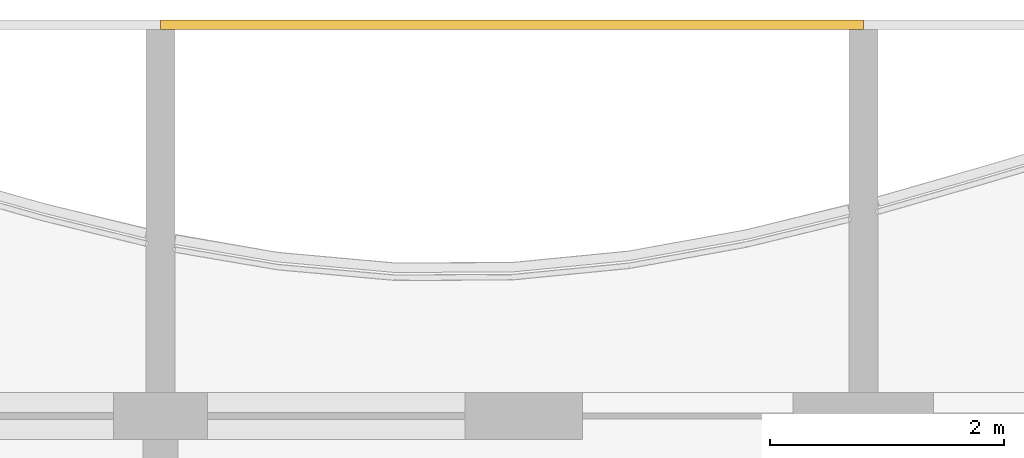
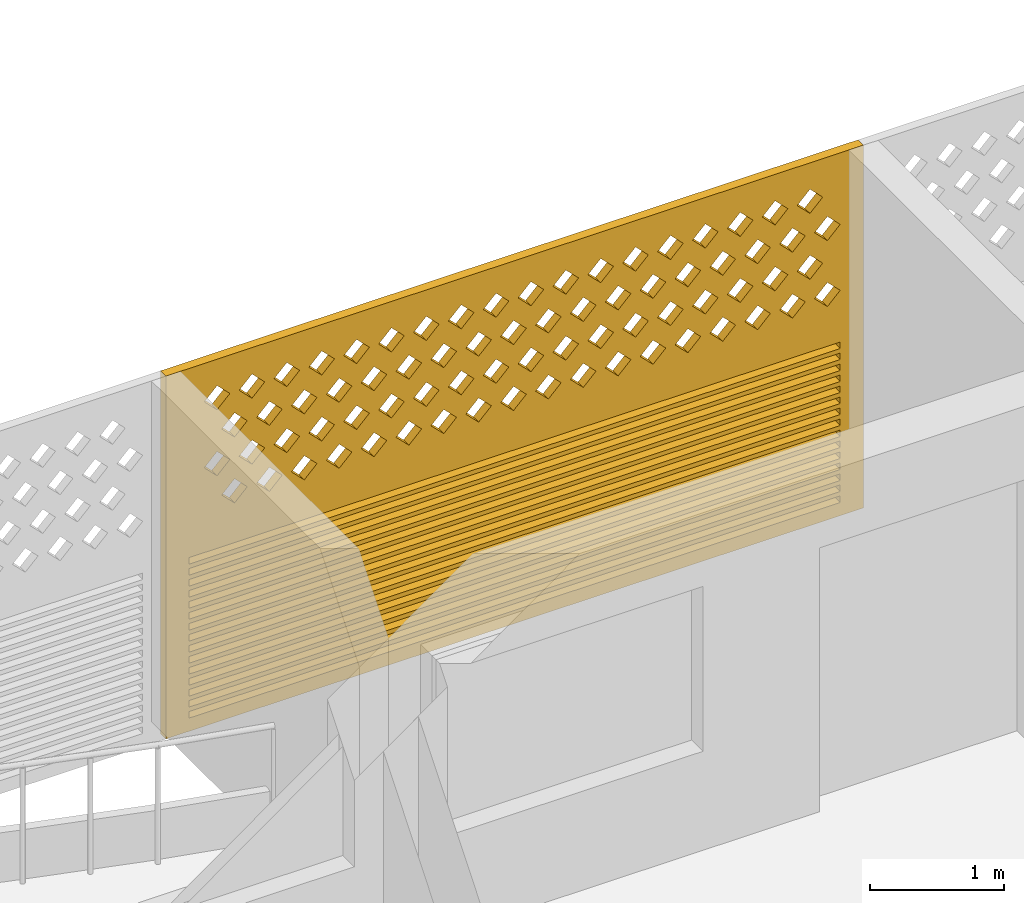
# One storey, part 23 of 33: 1 covering.
"""IFC4 building model written with IfcOpenShell, lengths in metres."""

from ifc_helpers import new_model, si_unit, direction, frame, origin, place, context, subcontext, project, spatial, polyline, outline, extrude, source, transform, mapped, material, material_profile, profile_set, type_object, element, save


model = new_model("IFC4")

# Units and contexts
model_context = context("Model", 3, precision=1e-05, world=origin(), true_north=direction((0.0, 1.0)))
body_context = subcontext(model_context, "Body", "Model", "MODEL_VIEW")
ifc_project = project(units=[si_unit("LENGTHUNIT", "METRE"), si_unit("AREAUNIT", "SQUARE_METRE"), si_unit("VOLUMEUNIT", "CUBIC_METRE"), si_unit("PLANEANGLEUNIT", "RADIAN"), si_unit("MASSUNIT", "GRAM", prefix="KILO")], contexts=[model_context])

# Site, building, storey
site_placement = place(None, origin())
site = spatial("IfcSite", under=ifc_project, at=site_placement, CompositionType="ELEMENT")
building_placement = place(site_placement, origin())
building = spatial("IfcBuilding", under=site, at=building_placement, Name="Poui Terraces", CompositionType="ELEMENT")
storey_placement = place(building_placement, frame((0.0, 0.0, 135.60009765625)))
storey = spatial("IfcBuildingStorey", under=building, at=storey_placement, Name="L37", CompositionType="ELEMENT", Elevation=135.60009765625)

# Covering
ifc_material = material(Name="Terracotta screen", Category="masonry")
ifc_material_profile = material_profile(ifc_material, outline(polyline([(-3.0, -1.64990234375), (3.0, -1.64990234375), (3.0, 1.64990234375), (-3.0, 1.64990234375), (-3.0, -1.64990234375)]), holes=[polyline([(-2.800048828125, 0.39990234375), (-2.68994140625, 0.2900390625), (-2.580078125, 0.39990234375), (-2.68994140625, 0.510009765625), (-2.800048828125, 0.39990234375)]), polyline([(-2.5, 0.39990234375), (-2.389892578125, 0.2900390625), (-2.280029296875, 0.39990234375), (-2.389892578125, 0.510009765625), (-2.5, 0.39990234375)]), polyline([(-2.199951171875, 0.39990234375), (-2.090087890625, 0.2900390625), (-1.97998046875, 0.39990234375), (-2.090087890625, 0.510009765625), (-2.199951171875, 0.39990234375)]), polyline([(-1.89990234375, 0.39990234375), (-1.7900390625, 0.2900390625), (-1.679931640625, 0.39990234375), (-1.7900390625, 0.510009765625), (-1.89990234375, 0.39990234375)]), polyline([(-1.60009765625, 0.39990234375), (-1.489990234375, 0.2900390625), (-1.3798828125, 0.39990234375), (-1.489990234375, 0.510009765625), (-1.60009765625, 0.39990234375)]), polyline([(-1.300048828125, 0.39990234375), (-1.18994140625, 0.2900390625), (-1.080078125, 0.39990234375), (-1.18994140625, 0.510009765625), (-1.300048828125, 0.39990234375)]), polyline([(-1.0, 0.39990234375), (-0.889892578125, 0.2900390625), (-0.780029296875, 0.39990234375), (-0.889892578125, 0.510009765625), (-1.0, 0.39990234375)]), polyline([(-0.699951171875, 0.39990234375), (-0.590087890625, 0.2900390625), (-0.47998046875, 0.39990234375), (-0.590087890625, 0.510009765625), (-0.699951171875, 0.39990234375)]), polyline([(-0.39990234375, 0.39990234375), (-0.2900390625, 0.2900390625), (-0.179931640625, 0.39990234375), (-0.2900390625, 0.510009765625), (-0.39990234375, 0.39990234375)]), polyline([(-0.10009765625, 0.39990234375), (0.010009765625, 0.2900390625), (0.1201171875, 0.39990234375), (0.010009765625, 0.510009765625), (-0.10009765625, 0.39990234375)]), polyline([(0.199951171875, 0.39990234375), (0.31005859375, 0.2900390625), (0.419921875, 0.39990234375), (0.31005859375, 0.510009765625), (0.199951171875, 0.39990234375)]), polyline([(0.5, 0.39990234375), (0.610107421875, 0.2900390625), (0.719970703125, 0.39990234375), (0.610107421875, 0.510009765625), (0.5, 0.39990234375)]), polyline([(0.800048828125, 0.39990234375), (0.909912109375, 0.2900390625), (1.02001953125, 0.39990234375), (0.909912109375, 0.510009765625), (0.800048828125, 0.39990234375)]), polyline([(1.10009765625, 0.39990234375), (1.2099609375, 0.2900390625), (1.320068359375, 0.39990234375), (1.2099609375, 0.510009765625), (1.10009765625, 0.39990234375)]), polyline([(1.39990234375, 0.39990234375), (1.510009765625, 0.2900390625), (1.6201171875, 0.39990234375), (1.510009765625, 0.510009765625), (1.39990234375, 0.39990234375)]), polyline([(1.699951171875, 0.39990234375), (1.81005859375, 0.2900390625), (1.919921875, 0.39990234375), (1.81005859375, 0.510009765625), (1.699951171875, 0.39990234375)]), polyline([(2.0, 0.39990234375), (2.110107421875, 0.2900390625), (2.219970703125, 0.39990234375), (2.110107421875, 0.510009765625), (2.0, 0.39990234375)]), polyline([(2.300048828125, 0.39990234375), (2.409912109375, 0.2900390625), (2.52001953125, 0.39990234375), (2.409912109375, 0.510009765625), (2.300048828125, 0.39990234375)]), polyline([(-2.64990234375, 0.699951171875), (-2.5400390625, 0.590087890625), (-2.429931640625, 0.699951171875), (-2.5400390625, 0.81005859375), (-2.64990234375, 0.699951171875)]), polyline([(-2.35009765625, 0.699951171875), (-2.239990234375, 0.590087890625), (-2.1298828125, 0.699951171875), (-2.239990234375, 0.81005859375), (-2.35009765625, 0.699951171875)]), polyline([(-2.050048828125, 0.699951171875), (-1.93994140625, 0.590087890625), (-1.830078125, 0.699951171875), (-1.93994140625, 0.81005859375), (-2.050048828125, 0.699951171875)]), polyline([(-1.75, 0.699951171875), (-1.639892578125, 0.590087890625), (-1.530029296875, 0.699951171875), (-1.639892578125, 0.81005859375), (-1.75, 0.699951171875)]), polyline([(-1.449951171875, 0.699951171875), (-1.340087890625, 0.590087890625), (-1.22998046875, 0.699951171875), (-1.340087890625, 0.81005859375), (-1.449951171875, 0.699951171875)]), polyline([(-1.14990234375, 0.699951171875), (-1.0400390625, 0.590087890625), (-0.929931640625, 0.699951171875), (-1.0400390625, 0.81005859375), (-1.14990234375, 0.699951171875)]), polyline([(-0.85009765625, 0.699951171875), (-0.739990234375, 0.590087890625), (-0.6298828125, 0.699951171875), (-0.739990234375, 0.81005859375), (-0.85009765625, 0.699951171875)]), polyline([(-0.550048828125, 0.699951171875), (-0.43994140625, 0.590087890625), (-0.330078125, 0.699951171875), (-0.43994140625, 0.81005859375), (-0.550048828125, 0.699951171875)]), polyline([(-0.25, 0.699951171875), (-0.139892578125, 0.590087890625), (-0.030029296875, 0.699951171875), (-0.139892578125, 0.81005859375), (-0.25, 0.699951171875)]), polyline([(0.050048828125, 0.699951171875), (0.159912109375, 0.590087890625), (0.27001953125, 0.699951171875), (0.159912109375, 0.81005859375), (0.050048828125, 0.699951171875)]), polyline([(0.35009765625, 0.699951171875), (0.4599609375, 0.590087890625), (0.570068359375, 0.699951171875), (0.4599609375, 0.81005859375), (0.35009765625, 0.699951171875)]), polyline([(0.64990234375, 0.699951171875), (0.760009765625, 0.590087890625), (0.8701171875, 0.699951171875), (0.760009765625, 0.81005859375), (0.64990234375, 0.699951171875)]), polyline([(0.949951171875, 0.699951171875), (1.06005859375, 0.590087890625), (1.169921875, 0.699951171875), (1.06005859375, 0.81005859375), (0.949951171875, 0.699951171875)]), polyline([(1.25, 0.699951171875), (1.360107421875, 0.590087890625), (1.469970703125, 0.699951171875), (1.360107421875, 0.81005859375), (1.25, 0.699951171875)]), polyline([(1.550048828125, 0.699951171875), (1.659912109375, 0.590087890625), (1.77001953125, 0.699951171875), (1.659912109375, 0.81005859375), (1.550048828125, 0.699951171875)]), polyline([(1.85009765625, 0.699951171875), (1.9599609375, 0.590087890625), (2.070068359375, 0.699951171875), (1.9599609375, 0.81005859375), (1.85009765625, 0.699951171875)]), polyline([(2.14990234375, 0.699951171875), (2.260009765625, 0.590087890625), (2.3701171875, 0.699951171875), (2.260009765625, 0.81005859375), (2.14990234375, 0.699951171875)]), polyline([(2.449951171875, 0.699951171875), (2.56005859375, 0.590087890625), (2.669921875, 0.699951171875), (2.56005859375, 0.81005859375), (2.449951171875, 0.699951171875)]), polyline([(-2.800048828125, 1.0), (-2.68994140625, 0.889892578125), (-2.580078125, 1.0), (-2.68994140625, 1.110107421875), (-2.800048828125, 1.0)]), polyline([(-2.5, 1.0), (-2.389892578125, 0.889892578125), (-2.280029296875, 1.0), (-2.389892578125, 1.110107421875), (-2.5, 1.0)]), polyline([(-2.199951171875, 1.0), (-2.090087890625, 0.889892578125), (-1.97998046875, 1.0), (-2.090087890625, 1.110107421875), (-2.199951171875, 1.0)]), polyline([(-1.89990234375, 1.0), (-1.7900390625, 0.889892578125), (-1.679931640625, 1.0), (-1.7900390625, 1.110107421875), (-1.89990234375, 1.0)]), polyline([(-1.60009765625, 1.0), (-1.489990234375, 0.889892578125), (-1.3798828125, 1.0), (-1.489990234375, 1.110107421875), (-1.60009765625, 1.0)]), polyline([(-1.300048828125, 1.0), (-1.18994140625, 0.889892578125), (-1.080078125, 1.0), (-1.18994140625, 1.110107421875), (-1.300048828125, 1.0)]), polyline([(-1.0, 1.0), (-0.889892578125, 0.889892578125), (-0.780029296875, 1.0), (-0.889892578125, 1.110107421875), (-1.0, 1.0)]), polyline([(-0.699951171875, 1.0), (-0.590087890625, 0.889892578125), (-0.47998046875, 1.0), (-0.590087890625, 1.110107421875), (-0.699951171875, 1.0)]), polyline([(-0.39990234375, 1.0), (-0.2900390625, 0.889892578125), (-0.179931640625, 1.0), (-0.2900390625, 1.110107421875), (-0.39990234375, 1.0)]), polyline([(-0.10009765625, 1.0), (0.010009765625, 0.889892578125), (0.1201171875, 1.0), (0.010009765625, 1.110107421875), (-0.10009765625, 1.0)]), polyline([(0.199951171875, 1.0), (0.31005859375, 0.889892578125), (0.419921875, 1.0), (0.31005859375, 1.110107421875), (0.199951171875, 1.0)]), polyline([(0.5, 1.0), (0.610107421875, 0.889892578125), (0.719970703125, 1.0), (0.610107421875, 1.110107421875), (0.5, 1.0)]), polyline([(0.800048828125, 1.0), (0.909912109375, 0.889892578125), (1.02001953125, 1.0), (0.909912109375, 1.110107421875), (0.800048828125, 1.0)]), polyline([(1.10009765625, 1.0), (1.2099609375, 0.889892578125), (1.320068359375, 1.0), (1.2099609375, 1.110107421875), (1.10009765625, 1.0)]), polyline([(1.39990234375, 1.0), (1.510009765625, 0.889892578125), (1.6201171875, 1.0), (1.510009765625, 1.110107421875), (1.39990234375, 1.0)]), polyline([(1.699951171875, 1.0), (1.81005859375, 0.889892578125), (1.919921875, 1.0), (1.81005859375, 1.110107421875), (1.699951171875, 1.0)]), polyline([(2.0, 1.0), (2.110107421875, 0.889892578125), (2.219970703125, 1.0), (2.110107421875, 1.110107421875), (2.0, 1.0)]), polyline([(2.300048828125, 1.0), (2.409912109375, 0.889892578125), (2.52001953125, 1.0), (2.409912109375, 1.110107421875), (2.300048828125, 1.0)]), polyline([(-2.64990234375, 1.300048828125), (-2.5400390625, 1.18994140625), (-2.429931640625, 1.300048828125), (-2.5400390625, 1.409912109375), (-2.64990234375, 1.300048828125)]), polyline([(-2.35009765625, 1.300048828125), (-2.239990234375, 1.18994140625), (-2.1298828125, 1.300048828125), (-2.239990234375, 1.409912109375), (-2.35009765625, 1.300048828125)]), polyline([(-2.050048828125, 1.300048828125), (-1.93994140625, 1.18994140625), (-1.830078125, 1.300048828125), (-1.93994140625, 1.409912109375), (-2.050048828125, 1.300048828125)]), polyline([(-1.75, 1.300048828125), (-1.639892578125, 1.18994140625), (-1.530029296875, 1.300048828125), (-1.639892578125, 1.409912109375), (-1.75, 1.300048828125)]), polyline([(-1.449951171875, 1.300048828125), (-1.340087890625, 1.18994140625), (-1.22998046875, 1.300048828125), (-1.340087890625, 1.409912109375), (-1.449951171875, 1.300048828125)]), polyline([(-1.14990234375, 1.300048828125), (-1.0400390625, 1.18994140625), (-0.929931640625, 1.300048828125), (-1.0400390625, 1.409912109375), (-1.14990234375, 1.300048828125)]), polyline([(-0.85009765625, 1.300048828125), (-0.739990234375, 1.18994140625), (-0.6298828125, 1.300048828125), (-0.739990234375, 1.409912109375), (-0.85009765625, 1.300048828125)]), polyline([(-0.550048828125, 1.300048828125), (-0.43994140625, 1.18994140625), (-0.330078125, 1.300048828125), (-0.43994140625, 1.409912109375), (-0.550048828125, 1.300048828125)]), polyline([(-0.25, 1.300048828125), (-0.139892578125, 1.18994140625), (-0.030029296875, 1.300048828125), (-0.139892578125, 1.409912109375), (-0.25, 1.300048828125)]), polyline([(0.050048828125, 1.300048828125), (0.159912109375, 1.18994140625), (0.27001953125, 1.300048828125), (0.159912109375, 1.409912109375), (0.050048828125, 1.300048828125)]), polyline([(0.35009765625, 1.300048828125), (0.4599609375, 1.18994140625), (0.570068359375, 1.300048828125), (0.4599609375, 1.409912109375), (0.35009765625, 1.300048828125)]), polyline([(0.64990234375, 1.300048828125), (0.760009765625, 1.18994140625), (0.8701171875, 1.300048828125), (0.760009765625, 1.409912109375), (0.64990234375, 1.300048828125)]), polyline([(0.949951171875, 1.300048828125), (1.06005859375, 1.18994140625), (1.169921875, 1.300048828125), (1.06005859375, 1.409912109375), (0.949951171875, 1.300048828125)]), polyline([(1.25, 1.300048828125), (1.360107421875, 1.18994140625), (1.469970703125, 1.300048828125), (1.360107421875, 1.409912109375), (1.25, 1.300048828125)]), polyline([(1.550048828125, 1.300048828125), (1.659912109375, 1.18994140625), (1.77001953125, 1.300048828125), (1.659912109375, 1.409912109375), (1.550048828125, 1.300048828125)]), polyline([(1.85009765625, 1.300048828125), (1.9599609375, 1.18994140625), (2.070068359375, 1.300048828125), (1.9599609375, 1.409912109375), (1.85009765625, 1.300048828125)]), polyline([(2.14990234375, 1.300048828125), (2.260009765625, 1.18994140625), (2.3701171875, 1.300048828125), (2.260009765625, 1.409912109375), (2.14990234375, 1.300048828125)]), polyline([(2.449951171875, 1.300048828125), (2.56005859375, 1.18994140625), (2.669921875, 1.300048828125), (2.56005859375, 1.409912109375), (2.449951171875, 1.300048828125)]), polyline([(-2.800048828125, -1.530029296875), (2.800048828125, -1.530029296875), (2.800048828125, -1.469970703125), (-2.800048828125, -1.469970703125), (-2.800048828125, -1.530029296875)]), polyline([(-2.800048828125, -1.429931640625), (2.800048828125, -1.429931640625), (2.800048828125, -1.3701171875), (-2.800048828125, -1.3701171875), (-2.800048828125, -1.429931640625)]), polyline([(-2.800048828125, -1.330078125), (2.800048828125, -1.330078125), (2.800048828125, -1.27001953125), (-2.800048828125, -1.27001953125), (-2.800048828125, -1.330078125)]), polyline([(-2.800048828125, -1.22998046875), (2.800048828125, -1.22998046875), (2.800048828125, -1.169921875), (-2.800048828125, -1.169921875), (-2.800048828125, -1.22998046875)]), polyline([(-2.800048828125, -1.1298828125), (2.800048828125, -1.1298828125), (2.800048828125, -1.070068359375), (-2.800048828125, -1.070068359375), (-2.800048828125, -1.1298828125)]), polyline([(-2.800048828125, -1.030029296875), (2.800048828125, -1.030029296875), (2.800048828125, -0.969970703125), (-2.800048828125, -0.969970703125), (-2.800048828125, -1.030029296875)]), polyline([(-2.800048828125, -0.929931640625), (2.800048828125, -0.929931640625), (2.800048828125, -0.8701171875), (-2.800048828125, -0.8701171875), (-2.800048828125, -0.929931640625)]), polyline([(-2.800048828125, -0.830078125), (2.800048828125, -0.830078125), (2.800048828125, -0.77001953125), (-2.800048828125, -0.77001953125), (-2.800048828125, -0.830078125)]), polyline([(-2.800048828125, -0.72998046875), (2.800048828125, -0.72998046875), (2.800048828125, -0.669921875), (-2.800048828125, -0.669921875), (-2.800048828125, -0.72998046875)]), polyline([(-2.800048828125, -0.6298828125), (2.800048828125, -0.6298828125), (2.800048828125, -0.570068359375), (-2.800048828125, -0.570068359375), (-2.800048828125, -0.6298828125)]), polyline([(-2.800048828125, -0.530029296875), (2.800048828125, -0.530029296875), (2.800048828125, -0.469970703125), (-2.800048828125, -0.469970703125), (-2.800048828125, -0.530029296875)]), polyline([(-2.800048828125, -0.429931640625), (2.800048828125, -0.429931640625), (2.800048828125, -0.3701171875), (-2.800048828125, -0.3701171875), (-2.800048828125, -0.429931640625)]), polyline([(-2.800048828125, -0.330078125), (2.800048828125, -0.330078125), (2.800048828125, -0.27001953125), (-2.800048828125, -0.27001953125), (-2.800048828125, -0.330078125)]), polyline([(-2.800048828125, -0.22998046875), (2.800048828125, -0.22998046875), (2.800048828125, -0.169921875), (-2.800048828125, -0.169921875), (-2.800048828125, -0.22998046875)]), polyline([(-2.800048828125, -0.1298828125), (2.800048828125, -0.1298828125), (2.800048828125, -0.070068359375), (-2.800048828125, -0.070068359375), (-2.800048828125, -0.1298828125)])]), Name="TERRACOTTA SCREEN AND JALOUSIE LOUVRE 6000X3300")
ifc_profile_set = profile_set([ifc_material_profile], Name="Terracotta screen")
covering_type = type_object("IfcCoveringType", Name="TERRACOTTA SCREEN AND JALOUSIE LOUVRE 6000X3300", PredefinedType="CLADDING", material=ifc_profile_set)
shared_shape = source(origin(), body_context, "Body", "SweptSolid", [
    extrude(outline(polyline([(-3.0, -1.64990234375), (3.0, -1.64990234375), (3.0, 1.64990234375), (-3.0, 1.64990234375), (-3.0, -1.64990234375)]), holes=[polyline([(-2.800048828125, 0.39990234375), (-2.68994140625, 0.2900390625), (-2.580078125, 0.39990234375), (-2.68994140625, 0.510009765625), (-2.800048828125, 0.39990234375)]), polyline([(-2.5, 0.39990234375), (-2.389892578125, 0.2900390625), (-2.280029296875, 0.39990234375), (-2.389892578125, 0.510009765625), (-2.5, 0.39990234375)]), polyline([(-2.199951171875, 0.39990234375), (-2.090087890625, 0.2900390625), (-1.97998046875, 0.39990234375), (-2.090087890625, 0.510009765625), (-2.199951171875, 0.39990234375)]), polyline([(-1.89990234375, 0.39990234375), (-1.7900390625, 0.2900390625), (-1.679931640625, 0.39990234375), (-1.7900390625, 0.510009765625), (-1.89990234375, 0.39990234375)]), polyline([(-1.60009765625, 0.39990234375), (-1.489990234375, 0.2900390625), (-1.3798828125, 0.39990234375), (-1.489990234375, 0.510009765625), (-1.60009765625, 0.39990234375)]), polyline([(-1.300048828125, 0.39990234375), (-1.18994140625, 0.2900390625), (-1.080078125, 0.39990234375), (-1.18994140625, 0.510009765625), (-1.300048828125, 0.39990234375)]), polyline([(-1.0, 0.39990234375), (-0.889892578125, 0.2900390625), (-0.780029296875, 0.39990234375), (-0.889892578125, 0.510009765625), (-1.0, 0.39990234375)]), polyline([(-0.699951171875, 0.39990234375), (-0.590087890625, 0.2900390625), (-0.47998046875, 0.39990234375), (-0.590087890625, 0.510009765625), (-0.699951171875, 0.39990234375)]), polyline([(-0.39990234375, 0.39990234375), (-0.2900390625, 0.2900390625), (-0.179931640625, 0.39990234375), (-0.2900390625, 0.510009765625), (-0.39990234375, 0.39990234375)]), polyline([(-0.10009765625, 0.39990234375), (0.010009765625, 0.2900390625), (0.1201171875, 0.39990234375), (0.010009765625, 0.510009765625), (-0.10009765625, 0.39990234375)]), polyline([(0.199951171875, 0.39990234375), (0.31005859375, 0.2900390625), (0.419921875, 0.39990234375), (0.31005859375, 0.510009765625), (0.199951171875, 0.39990234375)]), polyline([(0.5, 0.39990234375), (0.610107421875, 0.2900390625), (0.719970703125, 0.39990234375), (0.610107421875, 0.510009765625), (0.5, 0.39990234375)]), polyline([(0.800048828125, 0.39990234375), (0.909912109375, 0.2900390625), (1.02001953125, 0.39990234375), (0.909912109375, 0.510009765625), (0.800048828125, 0.39990234375)]), polyline([(1.10009765625, 0.39990234375), (1.2099609375, 0.2900390625), (1.320068359375, 0.39990234375), (1.2099609375, 0.510009765625), (1.10009765625, 0.39990234375)]), polyline([(1.39990234375, 0.39990234375), (1.510009765625, 0.2900390625), (1.6201171875, 0.39990234375), (1.510009765625, 0.510009765625), (1.39990234375, 0.39990234375)]), polyline([(1.699951171875, 0.39990234375), (1.81005859375, 0.2900390625), (1.919921875, 0.39990234375), (1.81005859375, 0.510009765625), (1.699951171875, 0.39990234375)]), polyline([(2.0, 0.39990234375), (2.110107421875, 0.2900390625), (2.219970703125, 0.39990234375), (2.110107421875, 0.510009765625), (2.0, 0.39990234375)]), polyline([(2.300048828125, 0.39990234375), (2.409912109375, 0.2900390625), (2.52001953125, 0.39990234375), (2.409912109375, 0.510009765625), (2.300048828125, 0.39990234375)]), polyline([(-2.64990234375, 0.699951171875), (-2.5400390625, 0.590087890625), (-2.429931640625, 0.699951171875), (-2.5400390625, 0.81005859375), (-2.64990234375, 0.699951171875)]), polyline([(-2.35009765625, 0.699951171875), (-2.239990234375, 0.590087890625), (-2.1298828125, 0.699951171875), (-2.239990234375, 0.81005859375), (-2.35009765625, 0.699951171875)]), polyline([(-2.050048828125, 0.699951171875), (-1.93994140625, 0.590087890625), (-1.830078125, 0.699951171875), (-1.93994140625, 0.81005859375), (-2.050048828125, 0.699951171875)]), polyline([(-1.75, 0.699951171875), (-1.639892578125, 0.590087890625), (-1.530029296875, 0.699951171875), (-1.639892578125, 0.81005859375), (-1.75, 0.699951171875)]), polyline([(-1.449951171875, 0.699951171875), (-1.340087890625, 0.590087890625), (-1.22998046875, 0.699951171875), (-1.340087890625, 0.81005859375), (-1.449951171875, 0.699951171875)]), polyline([(-1.14990234375, 0.699951171875), (-1.0400390625, 0.590087890625), (-0.929931640625, 0.699951171875), (-1.0400390625, 0.81005859375), (-1.14990234375, 0.699951171875)]), polyline([(-0.85009765625, 0.699951171875), (-0.739990234375, 0.590087890625), (-0.6298828125, 0.699951171875), (-0.739990234375, 0.81005859375), (-0.85009765625, 0.699951171875)]), polyline([(-0.550048828125, 0.699951171875), (-0.43994140625, 0.590087890625), (-0.330078125, 0.699951171875), (-0.43994140625, 0.81005859375), (-0.550048828125, 0.699951171875)]), polyline([(-0.25, 0.699951171875), (-0.139892578125, 0.590087890625), (-0.030029296875, 0.699951171875), (-0.139892578125, 0.81005859375), (-0.25, 0.699951171875)]), polyline([(0.050048828125, 0.699951171875), (0.159912109375, 0.590087890625), (0.27001953125, 0.699951171875), (0.159912109375, 0.81005859375), (0.050048828125, 0.699951171875)]), polyline([(0.35009765625, 0.699951171875), (0.4599609375, 0.590087890625), (0.570068359375, 0.699951171875), (0.4599609375, 0.81005859375), (0.35009765625, 0.699951171875)]), polyline([(0.64990234375, 0.699951171875), (0.760009765625, 0.590087890625), (0.8701171875, 0.699951171875), (0.760009765625, 0.81005859375), (0.64990234375, 0.699951171875)]), polyline([(0.949951171875, 0.699951171875), (1.06005859375, 0.590087890625), (1.169921875, 0.699951171875), (1.06005859375, 0.81005859375), (0.949951171875, 0.699951171875)]), polyline([(1.25, 0.699951171875), (1.360107421875, 0.590087890625), (1.469970703125, 0.699951171875), (1.360107421875, 0.81005859375), (1.25, 0.699951171875)]), polyline([(1.550048828125, 0.699951171875), (1.659912109375, 0.590087890625), (1.77001953125, 0.699951171875), (1.659912109375, 0.81005859375), (1.550048828125, 0.699951171875)]), polyline([(1.85009765625, 0.699951171875), (1.9599609375, 0.590087890625), (2.070068359375, 0.699951171875), (1.9599609375, 0.81005859375), (1.85009765625, 0.699951171875)]), polyline([(2.14990234375, 0.699951171875), (2.260009765625, 0.590087890625), (2.3701171875, 0.699951171875), (2.260009765625, 0.81005859375), (2.14990234375, 0.699951171875)]), polyline([(2.449951171875, 0.699951171875), (2.56005859375, 0.590087890625), (2.669921875, 0.699951171875), (2.56005859375, 0.81005859375), (2.449951171875, 0.699951171875)]), polyline([(-2.800048828125, 1.0), (-2.68994140625, 0.889892578125), (-2.580078125, 1.0), (-2.68994140625, 1.110107421875), (-2.800048828125, 1.0)]), polyline([(-2.5, 1.0), (-2.389892578125, 0.889892578125), (-2.280029296875, 1.0), (-2.389892578125, 1.110107421875), (-2.5, 1.0)]), polyline([(-2.199951171875, 1.0), (-2.090087890625, 0.889892578125), (-1.97998046875, 1.0), (-2.090087890625, 1.110107421875), (-2.199951171875, 1.0)]), polyline([(-1.89990234375, 1.0), (-1.7900390625, 0.889892578125), (-1.679931640625, 1.0), (-1.7900390625, 1.110107421875), (-1.89990234375, 1.0)]), polyline([(-1.60009765625, 1.0), (-1.489990234375, 0.889892578125), (-1.3798828125, 1.0), (-1.489990234375, 1.110107421875), (-1.60009765625, 1.0)]), polyline([(-1.300048828125, 1.0), (-1.18994140625, 0.889892578125), (-1.080078125, 1.0), (-1.18994140625, 1.110107421875), (-1.300048828125, 1.0)]), polyline([(-1.0, 1.0), (-0.889892578125, 0.889892578125), (-0.780029296875, 1.0), (-0.889892578125, 1.110107421875), (-1.0, 1.0)]), polyline([(-0.699951171875, 1.0), (-0.590087890625, 0.889892578125), (-0.47998046875, 1.0), (-0.590087890625, 1.110107421875), (-0.699951171875, 1.0)]), polyline([(-0.39990234375, 1.0), (-0.2900390625, 0.889892578125), (-0.179931640625, 1.0), (-0.2900390625, 1.110107421875), (-0.39990234375, 1.0)]), polyline([(-0.10009765625, 1.0), (0.010009765625, 0.889892578125), (0.1201171875, 1.0), (0.010009765625, 1.110107421875), (-0.10009765625, 1.0)]), polyline([(0.199951171875, 1.0), (0.31005859375, 0.889892578125), (0.419921875, 1.0), (0.31005859375, 1.110107421875), (0.199951171875, 1.0)]), polyline([(0.5, 1.0), (0.610107421875, 0.889892578125), (0.719970703125, 1.0), (0.610107421875, 1.110107421875), (0.5, 1.0)]), polyline([(0.800048828125, 1.0), (0.909912109375, 0.889892578125), (1.02001953125, 1.0), (0.909912109375, 1.110107421875), (0.800048828125, 1.0)]), polyline([(1.10009765625, 1.0), (1.2099609375, 0.889892578125), (1.320068359375, 1.0), (1.2099609375, 1.110107421875), (1.10009765625, 1.0)]), polyline([(1.39990234375, 1.0), (1.510009765625, 0.889892578125), (1.6201171875, 1.0), (1.510009765625, 1.110107421875), (1.39990234375, 1.0)]), polyline([(1.699951171875, 1.0), (1.81005859375, 0.889892578125), (1.919921875, 1.0), (1.81005859375, 1.110107421875), (1.699951171875, 1.0)]), polyline([(2.0, 1.0), (2.110107421875, 0.889892578125), (2.219970703125, 1.0), (2.110107421875, 1.110107421875), (2.0, 1.0)]), polyline([(2.300048828125, 1.0), (2.409912109375, 0.889892578125), (2.52001953125, 1.0), (2.409912109375, 1.110107421875), (2.300048828125, 1.0)]), polyline([(-2.64990234375, 1.300048828125), (-2.5400390625, 1.18994140625), (-2.429931640625, 1.300048828125), (-2.5400390625, 1.409912109375), (-2.64990234375, 1.300048828125)]), polyline([(-2.35009765625, 1.300048828125), (-2.239990234375, 1.18994140625), (-2.1298828125, 1.300048828125), (-2.239990234375, 1.409912109375), (-2.35009765625, 1.300048828125)]), polyline([(-2.050048828125, 1.300048828125), (-1.93994140625, 1.18994140625), (-1.830078125, 1.300048828125), (-1.93994140625, 1.409912109375), (-2.050048828125, 1.300048828125)]), polyline([(-1.75, 1.300048828125), (-1.639892578125, 1.18994140625), (-1.530029296875, 1.300048828125), (-1.639892578125, 1.409912109375), (-1.75, 1.300048828125)]), polyline([(-1.449951171875, 1.300048828125), (-1.340087890625, 1.18994140625), (-1.22998046875, 1.300048828125), (-1.340087890625, 1.409912109375), (-1.449951171875, 1.300048828125)]), polyline([(-1.14990234375, 1.300048828125), (-1.0400390625, 1.18994140625), (-0.929931640625, 1.300048828125), (-1.0400390625, 1.409912109375), (-1.14990234375, 1.300048828125)]), polyline([(-0.85009765625, 1.300048828125), (-0.739990234375, 1.18994140625), (-0.6298828125, 1.300048828125), (-0.739990234375, 1.409912109375), (-0.85009765625, 1.300048828125)]), polyline([(-0.550048828125, 1.300048828125), (-0.43994140625, 1.18994140625), (-0.330078125, 1.300048828125), (-0.43994140625, 1.409912109375), (-0.550048828125, 1.300048828125)]), polyline([(-0.25, 1.300048828125), (-0.139892578125, 1.18994140625), (-0.030029296875, 1.300048828125), (-0.139892578125, 1.409912109375), (-0.25, 1.300048828125)]), polyline([(0.050048828125, 1.300048828125), (0.159912109375, 1.18994140625), (0.27001953125, 1.300048828125), (0.159912109375, 1.409912109375), (0.050048828125, 1.300048828125)]), polyline([(0.35009765625, 1.300048828125), (0.4599609375, 1.18994140625), (0.570068359375, 1.300048828125), (0.4599609375, 1.409912109375), (0.35009765625, 1.300048828125)]), polyline([(0.64990234375, 1.300048828125), (0.760009765625, 1.18994140625), (0.8701171875, 1.300048828125), (0.760009765625, 1.409912109375), (0.64990234375, 1.300048828125)]), polyline([(0.949951171875, 1.300048828125), (1.06005859375, 1.18994140625), (1.169921875, 1.300048828125), (1.06005859375, 1.409912109375), (0.949951171875, 1.300048828125)]), polyline([(1.25, 1.300048828125), (1.360107421875, 1.18994140625), (1.469970703125, 1.300048828125), (1.360107421875, 1.409912109375), (1.25, 1.300048828125)]), polyline([(1.550048828125, 1.300048828125), (1.659912109375, 1.18994140625), (1.77001953125, 1.300048828125), (1.659912109375, 1.409912109375), (1.550048828125, 1.300048828125)]), polyline([(1.85009765625, 1.300048828125), (1.9599609375, 1.18994140625), (2.070068359375, 1.300048828125), (1.9599609375, 1.409912109375), (1.85009765625, 1.300048828125)]), polyline([(2.14990234375, 1.300048828125), (2.260009765625, 1.18994140625), (2.3701171875, 1.300048828125), (2.260009765625, 1.409912109375), (2.14990234375, 1.300048828125)]), polyline([(2.449951171875, 1.300048828125), (2.56005859375, 1.18994140625), (2.669921875, 1.300048828125), (2.56005859375, 1.409912109375), (2.449951171875, 1.300048828125)]), polyline([(-2.800048828125, -1.530029296875), (2.800048828125, -1.530029296875), (2.800048828125, -1.469970703125), (-2.800048828125, -1.469970703125), (-2.800048828125, -1.530029296875)]), polyline([(-2.800048828125, -1.429931640625), (2.800048828125, -1.429931640625), (2.800048828125, -1.3701171875), (-2.800048828125, -1.3701171875), (-2.800048828125, -1.429931640625)]), polyline([(-2.800048828125, -1.330078125), (2.800048828125, -1.330078125), (2.800048828125, -1.27001953125), (-2.800048828125, -1.27001953125), (-2.800048828125, -1.330078125)]), polyline([(-2.800048828125, -1.22998046875), (2.800048828125, -1.22998046875), (2.800048828125, -1.169921875), (-2.800048828125, -1.169921875), (-2.800048828125, -1.22998046875)]), polyline([(-2.800048828125, -1.1298828125), (2.800048828125, -1.1298828125), (2.800048828125, -1.070068359375), (-2.800048828125, -1.070068359375), (-2.800048828125, -1.1298828125)]), polyline([(-2.800048828125, -1.030029296875), (2.800048828125, -1.030029296875), (2.800048828125, -0.969970703125), (-2.800048828125, -0.969970703125), (-2.800048828125, -1.030029296875)]), polyline([(-2.800048828125, -0.929931640625), (2.800048828125, -0.929931640625), (2.800048828125, -0.8701171875), (-2.800048828125, -0.8701171875), (-2.800048828125, -0.929931640625)]), polyline([(-2.800048828125, -0.830078125), (2.800048828125, -0.830078125), (2.800048828125, -0.77001953125), (-2.800048828125, -0.77001953125), (-2.800048828125, -0.830078125)]), polyline([(-2.800048828125, -0.72998046875), (2.800048828125, -0.72998046875), (2.800048828125, -0.669921875), (-2.800048828125, -0.669921875), (-2.800048828125, -0.72998046875)]), polyline([(-2.800048828125, -0.6298828125), (2.800048828125, -0.6298828125), (2.800048828125, -0.570068359375), (-2.800048828125, -0.570068359375), (-2.800048828125, -0.6298828125)]), polyline([(-2.800048828125, -0.530029296875), (2.800048828125, -0.530029296875), (2.800048828125, -0.469970703125), (-2.800048828125, -0.469970703125), (-2.800048828125, -0.530029296875)]), polyline([(-2.800048828125, -0.429931640625), (2.800048828125, -0.429931640625), (2.800048828125, -0.3701171875), (-2.800048828125, -0.3701171875), (-2.800048828125, -0.429931640625)]), polyline([(-2.800048828125, -0.330078125), (2.800048828125, -0.330078125), (2.800048828125, -0.27001953125), (-2.800048828125, -0.27001953125), (-2.800048828125, -0.330078125)]), polyline([(-2.800048828125, -0.22998046875), (2.800048828125, -0.22998046875), (2.800048828125, -0.169921875), (-2.800048828125, -0.169921875), (-2.800048828125, -0.22998046875)]), polyline([(-2.800048828125, -0.1298828125), (2.800048828125, -0.1298828125), (2.800048828125, -0.070068359375), (-2.800048828125, -0.070068359375), (-2.800048828125, -0.1298828125)])]), origin(), (0.0, 0.0, 1.0), 0.080078125),
])
covering_placement = place(storey_placement, frame((39.0, 45.699951171875, 1.449951171875), z_axis=(0.0, 1.0, 0.0), x_axis=(-1.0, 0.0, 0.0)))
element("IfcCovering", 1, at=covering_placement, inside=storey, type_object=covering_type, Name="SOLAR SCREEN AND JALOUSIE LOUVRE", PredefinedType="CLADDING", context=body_context, shape_type="MappedRepresentation", body=[
    mapped(shared_shape, transform((0.0, 0.0, 0.0))),
])

save(model, "model.ifc")
